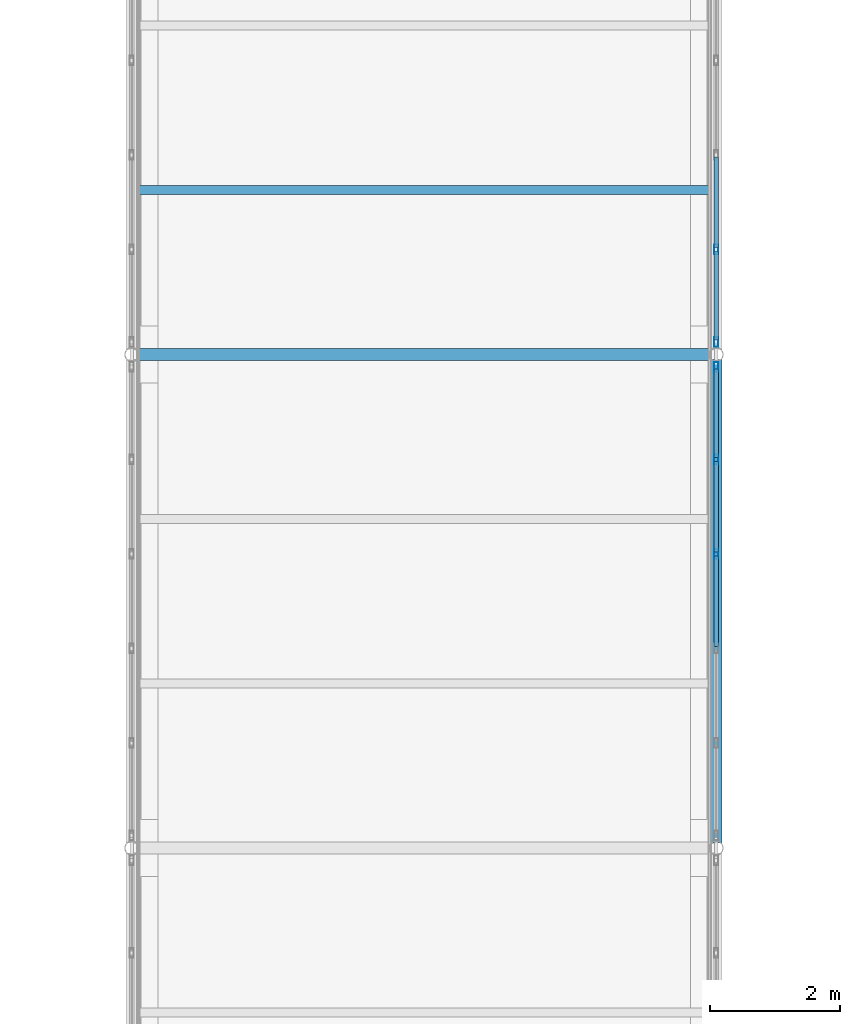
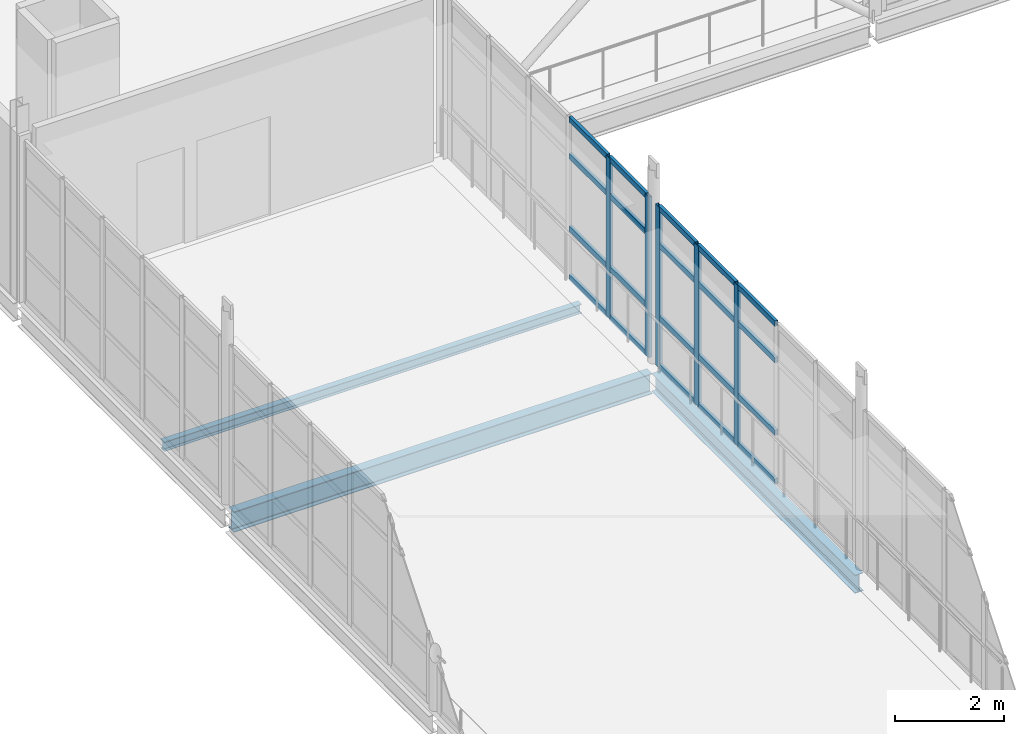
# One storey, part 74 of 166: 25 members, 3 beams, 2 elements without a shape of their own.
"""IFC4 building model written with IfcOpenShell, lengths in metres."""

from ifc_helpers import new_model, si_unit, direction, frame, origin, origin_2d, place, context, subcontext, project, spatial, hollow_rectangle, i_section, extrude, material, material_profile, profile_set, type_object, element, aggregate, save


model = new_model("IFC4")

# Units and contexts
model_context = context("Model", 3, precision=1e-05, world=origin(), true_north=direction((0.0, 1.0)))
body_context = subcontext(model_context, "Body", "Model", "MODEL_VIEW")
ifc_project = project(units=[si_unit("LENGTHUNIT", "METRE"), si_unit("AREAUNIT", "SQUARE_METRE"), si_unit("VOLUMEUNIT", "CUBIC_METRE"), si_unit("PLANEANGLEUNIT", "RADIAN"), si_unit("MASSUNIT", "GRAM", prefix="KILO")], contexts=[model_context])

# Site, building, storey
site_placement = place(None, origin())
site = spatial("IfcSite", under=ifc_project, at=site_placement, CompositionType="ELEMENT")
building_placement = place(site_placement, origin())
building = spatial("IfcBuilding", under=site, at=building_placement, Name="Caisbarro Railhouse Central Library", CompositionType="ELEMENT")
storey_placement = place(building_placement, frame((0.0, 0.0, 9.360107421875)))
storey = spatial("IfcBuildingStorey", under=building, at=storey_placement, Name="L02", CompositionType="ELEMENT", Elevation=9.360107421875)

# Beams
ifc_material_1 = material(Name="Steel ASTM A572 Grade 50", Category="steel")
ifc_material_profile_1 = material_profile(ifc_material_1, i_section(OverallWidth=0.18994140625, OverallDepth=0.45703125, WebThickness=0.009033203125, FlangeThickness=0.014404296875, FilletRadius=0.01806640625, at=origin_2d()), Name="W460X74.0")
ifc_profile_set_1 = profile_set([ifc_material_profile_1], Name="Steel ASTM A572 Grade 50")
beam_type_1 = type_object("IfcBeamType", Name="BM-G08", PredefinedType="BEAM", material=ifc_profile_set_1)
beam_1_placement = place(storey_placement, frame((54.080078125, 76.0, -0.4287109375), z_axis=(1.0, 0.0, 0.0), x_axis=(0.0, 1.0, 0.0)))
element("IfcBeam", 1, at=beam_1_placement, inside=storey, type_object=beam_type_1, Name="G08 beam L02 #1719", PredefinedType="BEAM", context=body_context, shape_type="SweptSolid", body=[
    extrude(i_section(OverallWidth=0.18994140625, OverallDepth=0.45703125, WebThickness=0.009033203125, FlangeThickness=0.014404296875, FilletRadius=0.01806640625, at=origin_2d()), origin(), (0.0, 0.0, 1.0), 8.83984375),
])
ifc_material_profile_2 = material_profile(ifc_material_1, i_section(OverallWidth=0.177978515625, OverallDepth=0.406982421875, WebThickness=0.0078125, FlangeThickness=0.0126953125, FilletRadius=0.01611328125, at=origin_2d()), Name="W410X60.0")
ifc_profile_set_2 = profile_set([ifc_material_profile_2], Name="Steel ASTM A572 Grade 50")
beam_type_2 = type_object("IfcBeamType", Name="BM-G10", PredefinedType="BEAM", material=ifc_profile_set_2)
beam_2_placement = place(storey_placement, frame((63.0, 68.47998046875, -0.403564453125), z_axis=(0.0, 1.0, 0.0), x_axis=(-1.0, 0.0, 0.0)))
element("IfcBeam", 2, at=beam_2_placement, inside=storey, type_object=beam_type_2, Name="G10 beam L02 #1724", PredefinedType="BEAM", context=body_context, shape_type="SweptSolid", body=[
    extrude(i_section(OverallWidth=0.177978515625, OverallDepth=0.406982421875, WebThickness=0.0078125, FlangeThickness=0.0126953125, FilletRadius=0.01611328125, at=origin_2d()), origin(), (0.0, 0.0, 1.0), 7.43994140625),
])
ifc_material_profile_3 = material_profile(ifc_material_1, i_section(OverallWidth=0.133056640625, OverallDepth=0.20703125, WebThickness=0.005859375, FlangeThickness=0.00830078125, FilletRadius=0.010009765625, at=origin_2d()), Name="W200X26.6")
ifc_profile_set_3 = profile_set([ifc_material_profile_3], Name="Steel ASTM A572 Grade 50")
beam_type_3 = type_object("IfcBeamType", Name="BM-J07", PredefinedType="JOIST", material=ifc_profile_set_3)
beam_3_placement = place(storey_placement, frame((54.089111328125, 78.533203125, -0.3037109375), z_axis=(1.0, 0.0, 0.0), x_axis=(0.0, 1.0, 0.0)))
element("IfcBeam", 3, at=beam_3_placement, inside=storey, type_object=beam_type_3, Name="J07 beam L02 #1730", PredefinedType="JOIST", context=body_context, shape_type="SweptSolid", body=[
    extrude(i_section(OverallWidth=0.133056640625, OverallDepth=0.20703125, WebThickness=0.005859375, FlangeThickness=0.00830078125, FilletRadius=0.010009765625, at=origin_2d()), origin(), (0.0, 0.0, 1.0), 8.82177734375),
])

# Curtain wall, members
ifc_material_2 = material(Name="Anodised architectural aluminium", Category="aluminium")
curtain_wall_type = type_object("IfcCurtainWallType", Name="CW-CW03", PredefinedType="NOTDEFINED", material=ifc_material_2)
curtain_wall_1_placement = place(storey_placement, origin())
curtain_wall_1 = element("IfcCurtainWall", 4, at=curtain_wall_1_placement, inside=storey, type_object=curtain_wall_type, Name="CW03 curtain wall L02 #205", PredefinedType="NOTDEFINED")
ifc_material_profile_4 = material_profile(ifc_material_2, hollow_rectangle(XDim=0.06494140625, YDim=0.14990234375, WallThickness=0.00390625, at=origin_2d()), Name="ALU-MUL-65X150")
ifc_profile_set_4 = profile_set([ifc_material_profile_4], Name="Anodised architectural aluminium")
member_type_1 = type_object("IfcMemberType", Name="CWM-M02", PredefinedType="MULLION", material=ifc_profile_set_4)
member_1_placement = place(storey_placement, frame((63.0, 72.927978515625, 0.0), z_axis=(0.0, 0.0, 1.0), x_axis=(-1.0, 0.0, 0.0)))
member_1 = element("IfcMember", 5, at=member_1_placement, type_object=member_type_1, Name="CW03 mullion 4", PredefinedType="MULLION", context=body_context, shape_type="SweptSolid", body=[
    extrude(hollow_rectangle(XDim=0.06494140625, YDim=0.14990234375, WallThickness=0.00390625, at=origin_2d()), origin(), (0.0, 0.0, 1.0), 3.58984375),
])
member_2_placement = place(storey_placement, frame((63.0, 74.384033203125, 0.0), z_axis=(0.0, 0.0, 1.0), x_axis=(-1.0, 0.0, 0.0)))
member_2 = element("IfcMember", 6, at=member_2_placement, type_object=member_type_1, Name="CW03 mullion 5", PredefinedType="MULLION", context=body_context, shape_type="SweptSolid", body=[
    extrude(hollow_rectangle(XDim=0.06494140625, YDim=0.14990234375, WallThickness=0.00390625, at=origin_2d()), origin(), (0.0, 0.0, 1.0), 3.58984375),
])
member_3_placement = place(storey_placement, frame((63.0, 75.8076171875, 0.0), z_axis=(0.0, 0.0, 1.0), x_axis=(-1.0, 0.0, 0.0)))
member_3 = element("IfcMember", 7, at=member_3_placement, type_object=member_type_1, Name="CW03 mullion 6", PredefinedType="MULLION", context=body_context, shape_type="SweptSolid", body=[
    extrude(hollow_rectangle(XDim=0.06494140625, YDim=0.14990234375, WallThickness=0.00390625, at=origin_2d()), origin(), (0.0, 0.0, 1.0), 3.58984375),
])

curtain_wall_2_placement = place(storey_placement, origin())
curtain_wall_2 = element("IfcCurtainWall", 8, at=curtain_wall_2_placement, inside=storey, type_object=curtain_wall_type, Name="CW03 curtain wall L02 #207", PredefinedType="NOTDEFINED")
member_4_placement = place(storey_placement, frame((63.0, 76.1923828125, 0.0), z_axis=(0.0, 0.0, 1.0), x_axis=(-1.0, 0.0, 0.0)))
member_4 = element("IfcMember", 9, at=member_4_placement, type_object=member_type_1, Name="CW03 mullion 1", PredefinedType="MULLION", context=body_context, shape_type="SweptSolid", body=[
    extrude(hollow_rectangle(XDim=0.06494140625, YDim=0.14990234375, WallThickness=0.00390625, at=origin_2d()), origin(), (0.0, 0.0, 1.0), 3.58984375),
])
member_5_placement = place(storey_placement, frame((63.0, 77.615966796875, 0.0), z_axis=(0.0, 0.0, 1.0), x_axis=(-1.0, 0.0, 0.0)))
member_5 = element("IfcMember", 10, at=member_5_placement, type_object=member_type_1, Name="CW03 mullion 2", PredefinedType="MULLION", context=body_context, shape_type="SweptSolid", body=[
    extrude(hollow_rectangle(XDim=0.06494140625, YDim=0.14990234375, WallThickness=0.00390625, at=origin_2d()), origin(), (0.0, 0.0, 1.0), 3.58984375),
])

# Member
ifc_material_profile_5 = material_profile(ifc_material_2, hollow_rectangle(XDim=0.06494140625, YDim=0.1201171875, WallThickness=0.00341796875, at=origin_2d()), Name="ALU-TRN-65X120")
ifc_profile_set_5 = profile_set([ifc_material_profile_5], Name="Anodised architectural aluminium")
member_type_2 = type_object("IfcMemberType", Name="CWT-T02", PredefinedType="USERDEFINED", material=ifc_profile_set_5)
member_6_placement = place(storey_placement, frame((63.0, 71.50439453125, 0.032470703125), z_axis=(0.0, 1.0, 0.0), x_axis=(-1.0, 0.0, 0.0)))
member_6 = element("IfcMember", 11, at=member_6_placement, type_object=member_type_2, Name="CW03 transom 3.1", ObjectType="TRANSOM", PredefinedType="USERDEFINED", context=body_context, shape_type="SweptSolid", body=[
    extrude(hollow_rectangle(XDim=0.06494140625, YDim=0.1201171875, WallThickness=0.00341796875, at=origin_2d()), origin(), (0.0, 0.0, 1.0), 1.39111328125),
])

member_7_placement = place(storey_placement, frame((63.0, 71.50439453125, 1.119873046875), z_axis=(0.0, 1.0, 0.0), x_axis=(-1.0, 0.0, 0.0)))
member_7 = element("IfcMember", 12, at=member_7_placement, type_object=member_type_2, Name="CW03 transom 3.2", ObjectType="TRANSOM", PredefinedType="USERDEFINED", context=body_context, shape_type="SweptSolid", body=[
    extrude(hollow_rectangle(XDim=0.06494140625, YDim=0.1201171875, WallThickness=0.00341796875, at=origin_2d()), origin(), (0.0, 0.0, 1.0), 1.39111328125),
])

member_8_placement = place(storey_placement, frame((63.0, 71.50439453125, 2.739990234375), z_axis=(0.0, 1.0, 0.0), x_axis=(-1.0, 0.0, 0.0)))
member_8 = element("IfcMember", 13, at=member_8_placement, type_object=member_type_2, Name="CW03 transom 3.3", ObjectType="TRANSOM", PredefinedType="USERDEFINED", context=body_context, shape_type="SweptSolid", body=[
    extrude(hollow_rectangle(XDim=0.06494140625, YDim=0.1201171875, WallThickness=0.00341796875, at=origin_2d()), origin(), (0.0, 0.0, 1.0), 1.39111328125),
])

member_9_placement = place(storey_placement, frame((63.0, 71.50439453125, 3.557373046875), z_axis=(0.0, 1.0, 0.0), x_axis=(-1.0, 0.0, 0.0)))
member_9 = element("IfcMember", 14, at=member_9_placement, type_object=member_type_2, Name="CW03 transom 3.4", ObjectType="TRANSOM", PredefinedType="USERDEFINED", context=body_context, shape_type="SweptSolid", body=[
    extrude(hollow_rectangle(XDim=0.06494140625, YDim=0.1201171875, WallThickness=0.00341796875, at=origin_2d()), origin(), (0.0, 0.0, 1.0), 1.39111328125),
])

member_10_placement = place(storey_placement, frame((63.0, 72.96044921875, 0.032470703125), z_axis=(0.0, 1.0, 0.0), x_axis=(-1.0, 0.0, 0.0)))
member_10 = element("IfcMember", 15, at=member_10_placement, type_object=member_type_2, Name="CW03 transom 4.1", ObjectType="TRANSOM", PredefinedType="USERDEFINED", context=body_context, shape_type="SweptSolid", body=[
    extrude(hollow_rectangle(XDim=0.06494140625, YDim=0.1201171875, WallThickness=0.00341796875, at=origin_2d()), origin(), (0.0, 0.0, 1.0), 1.39111328125),
])

member_11_placement = place(storey_placement, frame((63.0, 72.96044921875, 1.119873046875), z_axis=(0.0, 1.0, 0.0), x_axis=(-1.0, 0.0, 0.0)))
member_11 = element("IfcMember", 16, at=member_11_placement, type_object=member_type_2, Name="CW03 transom 4.2", ObjectType="TRANSOM", PredefinedType="USERDEFINED", context=body_context, shape_type="SweptSolid", body=[
    extrude(hollow_rectangle(XDim=0.06494140625, YDim=0.1201171875, WallThickness=0.00341796875, at=origin_2d()), origin(), (0.0, 0.0, 1.0), 1.39111328125),
])

member_12_placement = place(storey_placement, frame((63.0, 72.96044921875, 2.739990234375), z_axis=(0.0, 1.0, 0.0), x_axis=(-1.0, 0.0, 0.0)))
member_12 = element("IfcMember", 17, at=member_12_placement, type_object=member_type_2, Name="CW03 transom 4.3", ObjectType="TRANSOM", PredefinedType="USERDEFINED", context=body_context, shape_type="SweptSolid", body=[
    extrude(hollow_rectangle(XDim=0.06494140625, YDim=0.1201171875, WallThickness=0.00341796875, at=origin_2d()), origin(), (0.0, 0.0, 1.0), 1.39111328125),
])

member_13_placement = place(storey_placement, frame((63.0, 72.96044921875, 3.557373046875), z_axis=(0.0, 1.0, 0.0), x_axis=(-1.0, 0.0, 0.0)))
member_13 = element("IfcMember", 18, at=member_13_placement, type_object=member_type_2, Name="CW03 transom 4.4", ObjectType="TRANSOM", PredefinedType="USERDEFINED", context=body_context, shape_type="SweptSolid", body=[
    extrude(hollow_rectangle(XDim=0.06494140625, YDim=0.1201171875, WallThickness=0.00341796875, at=origin_2d()), origin(), (0.0, 0.0, 1.0), 1.39111328125),
])

member_14_placement = place(storey_placement, frame((63.0, 74.41650390625, 0.032470703125), z_axis=(0.0, 1.0, 0.0), x_axis=(-1.0, 0.0, 0.0)))
member_14 = element("IfcMember", 19, at=member_14_placement, type_object=member_type_2, Name="CW03 transom 5.1", ObjectType="TRANSOM", PredefinedType="USERDEFINED", context=body_context, shape_type="SweptSolid", body=[
    extrude(hollow_rectangle(XDim=0.06494140625, YDim=0.1201171875, WallThickness=0.00341796875, at=origin_2d()), origin(), (0.0, 0.0, 1.0), 1.3583984375),
])

member_15_placement = place(storey_placement, frame((63.0, 74.41650390625, 1.119873046875), z_axis=(0.0, 1.0, 0.0), x_axis=(-1.0, 0.0, 0.0)))
member_15 = element("IfcMember", 20, at=member_15_placement, type_object=member_type_2, Name="CW03 transom 5.2", ObjectType="TRANSOM", PredefinedType="USERDEFINED", context=body_context, shape_type="SweptSolid", body=[
    extrude(hollow_rectangle(XDim=0.06494140625, YDim=0.1201171875, WallThickness=0.00341796875, at=origin_2d()), origin(), (0.0, 0.0, 1.0), 1.3583984375),
])

member_16_placement = place(storey_placement, frame((63.0, 74.41650390625, 2.739990234375), z_axis=(0.0, 1.0, 0.0), x_axis=(-1.0, 0.0, 0.0)))
member_16 = element("IfcMember", 21, at=member_16_placement, type_object=member_type_2, Name="CW03 transom 5.3", ObjectType="TRANSOM", PredefinedType="USERDEFINED", context=body_context, shape_type="SweptSolid", body=[
    extrude(hollow_rectangle(XDim=0.06494140625, YDim=0.1201171875, WallThickness=0.00341796875, at=origin_2d()), origin(), (0.0, 0.0, 1.0), 1.3583984375),
])

member_17_placement = place(storey_placement, frame((63.0, 74.41650390625, 3.557373046875), z_axis=(0.0, 1.0, 0.0), x_axis=(-1.0, 0.0, 0.0)))
member_17 = element("IfcMember", 22, at=member_17_placement, type_object=member_type_2, Name="CW03 transom 5.4", ObjectType="TRANSOM", PredefinedType="USERDEFINED", context=body_context, shape_type="SweptSolid", body=[
    extrude(hollow_rectangle(XDim=0.06494140625, YDim=0.1201171875, WallThickness=0.00341796875, at=origin_2d()), origin(), (0.0, 0.0, 1.0), 1.3583984375),
])

aggregate(curtain_wall_1, [member_1, member_2, member_3, member_6, member_7, member_8, member_9, member_10, member_11, member_12, member_13, member_14, member_15, member_16, member_17])

member_18_placement = place(storey_placement, frame((63.0, 76.22509765625, 0.032470703125), z_axis=(0.0, 1.0, 0.0), x_axis=(-1.0, 0.0, 0.0)))
member_18 = element("IfcMember", 23, at=member_18_placement, type_object=member_type_2, Name="CW03 transom 1.1", ObjectType="TRANSOM", PredefinedType="USERDEFINED", context=body_context, shape_type="SweptSolid", body=[
    extrude(hollow_rectangle(XDim=0.06494140625, YDim=0.1201171875, WallThickness=0.00341796875, at=origin_2d()), origin(), (0.0, 0.0, 1.0), 1.3583984375),
])

member_19_placement = place(storey_placement, frame((63.0, 76.22509765625, 1.119873046875), z_axis=(0.0, 1.0, 0.0), x_axis=(-1.0, 0.0, 0.0)))
member_19 = element("IfcMember", 24, at=member_19_placement, type_object=member_type_2, Name="CW03 transom 1.2", ObjectType="TRANSOM", PredefinedType="USERDEFINED", context=body_context, shape_type="SweptSolid", body=[
    extrude(hollow_rectangle(XDim=0.06494140625, YDim=0.1201171875, WallThickness=0.00341796875, at=origin_2d()), origin(), (0.0, 0.0, 1.0), 1.3583984375),
])

member_20_placement = place(storey_placement, frame((63.0, 76.22509765625, 2.739990234375), z_axis=(0.0, 1.0, 0.0), x_axis=(-1.0, 0.0, 0.0)))
member_20 = element("IfcMember", 25, at=member_20_placement, type_object=member_type_2, Name="CW03 transom 1.3", ObjectType="TRANSOM", PredefinedType="USERDEFINED", context=body_context, shape_type="SweptSolid", body=[
    extrude(hollow_rectangle(XDim=0.06494140625, YDim=0.1201171875, WallThickness=0.00341796875, at=origin_2d()), origin(), (0.0, 0.0, 1.0), 1.3583984375),
])

member_21_placement = place(storey_placement, frame((63.0, 76.22509765625, 3.557373046875), z_axis=(0.0, 1.0, 0.0), x_axis=(-1.0, 0.0, 0.0)))
member_21 = element("IfcMember", 26, at=member_21_placement, type_object=member_type_2, Name="CW03 transom 1.4", ObjectType="TRANSOM", PredefinedType="USERDEFINED", context=body_context, shape_type="SweptSolid", body=[
    extrude(hollow_rectangle(XDim=0.06494140625, YDim=0.1201171875, WallThickness=0.00341796875, at=origin_2d()), origin(), (0.0, 0.0, 1.0), 1.3583984375),
])

member_22_placement = place(storey_placement, frame((63.0, 77.6484375, 0.032470703125), z_axis=(0.0, 1.0, 0.0), x_axis=(-1.0, 0.0, 0.0)))
member_22 = element("IfcMember", 27, at=member_22_placement, type_object=member_type_2, Name="CW03 transom 2.1", ObjectType="TRANSOM", PredefinedType="USERDEFINED", context=body_context, shape_type="SweptSolid", body=[
    extrude(hollow_rectangle(XDim=0.06494140625, YDim=0.1201171875, WallThickness=0.00341796875, at=origin_2d()), origin(), (0.0, 0.0, 1.0), 1.39111328125),
])

member_23_placement = place(storey_placement, frame((63.0, 77.6484375, 1.119873046875), z_axis=(0.0, 1.0, 0.0), x_axis=(-1.0, 0.0, 0.0)))
member_23 = element("IfcMember", 28, at=member_23_placement, type_object=member_type_2, Name="CW03 transom 2.2", ObjectType="TRANSOM", PredefinedType="USERDEFINED", context=body_context, shape_type="SweptSolid", body=[
    extrude(hollow_rectangle(XDim=0.06494140625, YDim=0.1201171875, WallThickness=0.00341796875, at=origin_2d()), origin(), (0.0, 0.0, 1.0), 1.39111328125),
])

member_24_placement = place(storey_placement, frame((63.0, 77.6484375, 2.739990234375), z_axis=(0.0, 1.0, 0.0), x_axis=(-1.0, 0.0, 0.0)))
member_24 = element("IfcMember", 29, at=member_24_placement, type_object=member_type_2, Name="CW03 transom 2.3", ObjectType="TRANSOM", PredefinedType="USERDEFINED", context=body_context, shape_type="SweptSolid", body=[
    extrude(hollow_rectangle(XDim=0.06494140625, YDim=0.1201171875, WallThickness=0.00341796875, at=origin_2d()), origin(), (0.0, 0.0, 1.0), 1.39111328125),
])

member_25_placement = place(storey_placement, frame((63.0, 77.6484375, 3.557373046875), z_axis=(0.0, 1.0, 0.0), x_axis=(-1.0, 0.0, 0.0)))
member_25 = element("IfcMember", 30, at=member_25_placement, type_object=member_type_2, Name="CW03 transom 2.4", ObjectType="TRANSOM", PredefinedType="USERDEFINED", context=body_context, shape_type="SweptSolid", body=[
    extrude(hollow_rectangle(XDim=0.06494140625, YDim=0.1201171875, WallThickness=0.00341796875, at=origin_2d()), origin(), (0.0, 0.0, 1.0), 1.39111328125),
])

aggregate(curtain_wall_2, [member_4, member_5, member_18, member_19, member_20, member_21, member_22, member_23, member_24, member_25])

save(model, "model.ifc")
